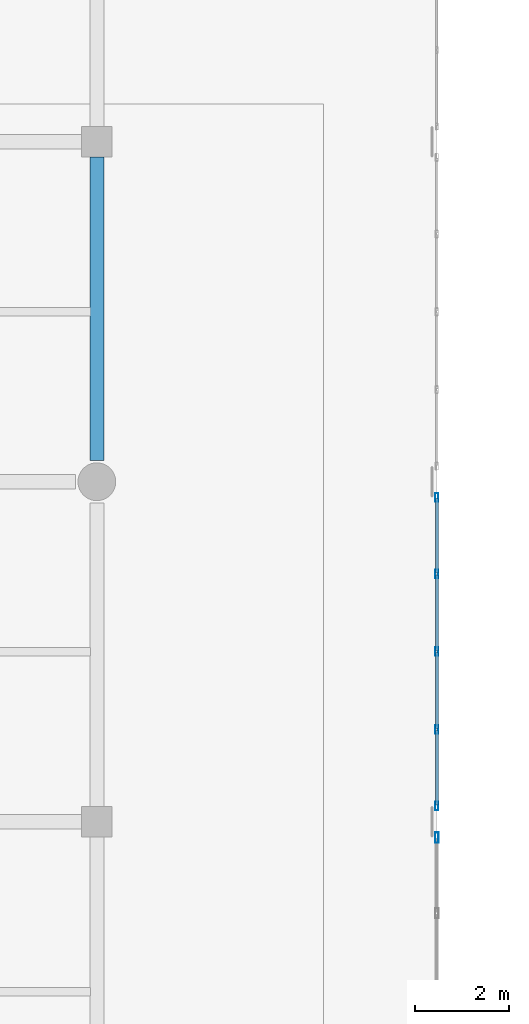
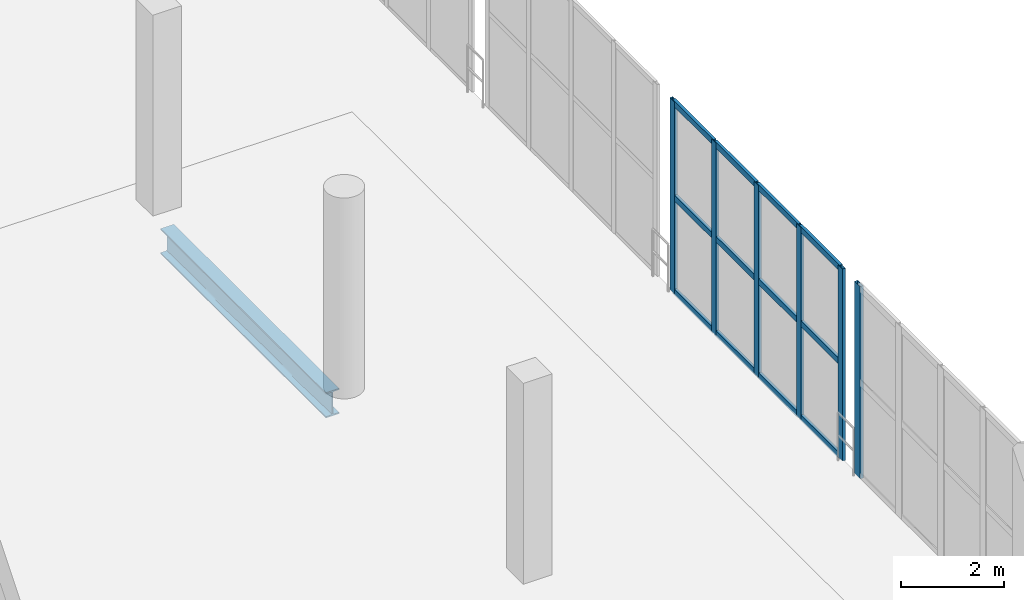
# One storey, part 47 of 105: 18 members, 1 beam, 2 elements without a shape of their own.
"""IFC4 building model written with IfcOpenShell, lengths in metres."""

import ifcopenshell
import ifcopenshell.guid

model = None  # the IFC model being written
_history = None  # IfcOwnerHistory: only IFC2X3 demands one
_inside = {}  # id of a spatial element -> (the spatial element, [elements in it])
_under = {}  # id of a project, library or spatial element -> (it, [spatial elements below it])
_declared = {}  # id of a project -> (the project, [libraries it declares])
_typed = {}  # id of a type object -> (the type object, [elements of that type])
_made_of = {}  # id of a material, layer set ... -> (it, [elements and type objects made of it])


def new_model(schema):
    """Start an empty IFC model of exactly this schema.

    Asked for "IFC4X3", IfcOpenShell would pick the latest addendum, in which some entities
    have other attributes; the version numbers below select the first issue.
    IFC2X3 requires an IfcOwnerHistory on every rooted entity: one is made here for all.
    """
    global model, _history
    if schema == "IFC4X3":
        model = ifcopenshell.file(schema_version=(4, 3, 0, 0))
    else:
        model = ifcopenshell.file(schema=schema)
    _inside.clear()
    _under.clear()
    _declared.clear()
    _typed.clear()
    _made_of.clear()
    _history = None
    if model.schema == "IFC2X3":
        org = make("IfcOrganization", Name="unknown")
        user = make(
            "IfcPersonAndOrganization",
            ThePerson=make("IfcPerson", FamilyName="unknown"),
            TheOrganization=org,
        )
        app = make(
            "IfcApplication",
            ApplicationDeveloper=org,
            Version="unknown",
            ApplicationFullName="unknown",
            ApplicationIdentifier="unknown",
        )
        _history = make(
            "IfcOwnerHistory",
            OwningUser=user,
            OwningApplication=app,
            ChangeAction="ADDED",
            CreationDate=0,
        )
    return model


def make(cls, **values):
    """One entity of the class cls with the attributes given. An attribute that is None is left unset."""
    return model.create_entity(
        cls, **{name: value for name, value in values.items() if value is not None}
    )


def rooted(cls, **values):
    """An entity with a GlobalId (a new one), such as an element, a storey or a relation."""
    return make(cls, GlobalId=ifcopenshell.guid.new(), OwnerHistory=_history, **values)


def si_unit(unit_type, name, prefix=None):
    """IfcSIUnit, for example si_unit("LENGTHUNIT", "METRE", prefix="MILLI")."""
    return make("IfcSIUnit", UnitType=unit_type, Prefix=prefix, Name=name)


def assignment(units):
    """IfcUnitAssignment: the units of a project."""
    return None if units is None else make("IfcUnitAssignment", Units=units)


def point(xyz):
    """IfcCartesianPoint."""
    return None if xyz is None else make("IfcCartesianPoint", Coordinates=xyz)


def direction(xyz):
    """IfcDirection."""
    return None if xyz is None else make("IfcDirection", DirectionRatios=xyz)


def frame(location, z_axis=None, x_axis=None):
    """IfcAxis2Placement3D, a coordinate frame: its origin and axes. An axis left out is left unset."""
    return make(
        "IfcAxis2Placement3D",
        Location=point(location),
        Axis=direction(z_axis),
        RefDirection=direction(x_axis),
    )


def frame_2d(location, x_axis=None):
    """IfcAxis2Placement2D, a coordinate frame in the plane: its origin and x axis."""
    return make(
        "IfcAxis2Placement2D", Location=point(location), RefDirection=direction(x_axis)
    )


def origin():
    """The frame at (0, 0, 0) with its axes left unset."""
    return frame((0.0, 0.0, 0.0))


def origin_2d():
    """The frame at (0, 0) in the plane with its x axis left unset."""
    return frame_2d((0.0, 0.0))


def place(relative_to, where):
    """IfcLocalPlacement: puts the frame where relative to a parent placement (None: the world)."""
    return make(
        "IfcLocalPlacement", PlacementRelTo=relative_to, RelativePlacement=where
    )


def context(
    kind, dimensions, precision=None, world=None, true_north=None, identifier=None
):
    """IfcGeometricRepresentationContext, for example the 3D "Model" context."""
    return make(
        "IfcGeometricRepresentationContext",
        ContextIdentifier=identifier,
        ContextType=kind,
        CoordinateSpaceDimension=dimensions,
        Precision=precision,
        WorldCoordinateSystem=world,
        TrueNorth=true_north,
    )


def subcontext(parent, identifier, kind, view, scale=None):
    """IfcGeometricRepresentationSubContext, for example "Body" below "Model"."""
    return make(
        "IfcGeometricRepresentationSubContext",
        ContextIdentifier=identifier,
        ContextType=kind,
        ParentContext=parent,
        TargetScale=scale,
        TargetView=view,
    )


def project(units=None, contexts=None):
    """IfcProject with its units and contexts."""
    return rooted(
        "IfcProject",
        Name="project",
        RepresentationContexts=contexts,
        UnitsInContext=assignment(units),
    )


def spatial(cls, under=None, at=None, **own):
    """A site, building, storey or space (cls), placed at a placement, below another one or the project."""
    s = rooted(cls, ObjectPlacement=at, **own)
    if under is not None:
        _under.setdefault(under.id(), (under, []))[1].append(s)
    return s


def profile(cls, at=None, kind="AREA", **sizes):
    """A parametric profile (cls). Its sizes go by their IFC names, for example OverallWidth=200.0."""
    return make(cls, ProfileType=kind, Position=at, **sizes)


def hollow_rectangle(**sizes):
    """IfcRectangleHollowProfileDef."""
    return profile("IfcRectangleHollowProfileDef", **sizes)


def i_section(**sizes):
    """IfcIShapeProfileDef."""
    return profile("IfcIShapeProfileDef", **sizes)


def extrude(swept, where, along, depth):
    """IfcExtrudedAreaSolid: the profile swept, set in the frame where, extruded along a direction by depth."""
    return make(
        "IfcExtrudedAreaSolid",
        SweptArea=swept,
        Position=where,
        ExtrudedDirection=direction(along),
        Depth=depth,
    )


def shape(context_of_items, identifier, shape_type, items):
    """IfcShapeRepresentation: the items that make up one representation, for example the "Body"."""
    return make(
        "IfcShapeRepresentation",
        ContextOfItems=context_of_items,
        RepresentationIdentifier=identifier,
        RepresentationType=shape_type,
        Items=items,
    )


def material(Name=None, Category=None):
    """IfcMaterial."""
    return make("IfcMaterial", Name=Name, Category=Category)


def material_profile(
    of_material, cross_section, Name=None, Category=None, Priority=None
):
    """IfcMaterialProfile: a cross section and its material."""
    return make(
        "IfcMaterialProfile",
        Name=Name,
        Material=of_material,
        Profile=cross_section,
        Priority=Priority,
        Category=Category,
    )


def profile_set(profiles, Name=None, composite=None):
    """IfcMaterialProfileSet."""
    return make(
        "IfcMaterialProfileSet",
        Name=Name,
        MaterialProfiles=profiles,
        CompositeProfile=composite,
    )


def made_of(thing, what):
    """Note that an element or type object is made of a material, layer set ...; save() writes the relation."""
    if what is not None:
        _made_of.setdefault(what.id(), (what, []))[1].append(thing)
    return thing


def type_object(cls, material=None, **own):
    """A type object (cls), such as IfcWallType, which elements share."""
    return made_of(rooted(cls, **own), material)


def element(
    cls,
    number,
    at=None,
    inside=None,
    cuts=None,
    type_object=None,
    material=None,
    context=None,
    identifier="Body",
    shape_type=None,
    held_by="IfcProductDefinitionShape",
    body=None,
    shapes=None,
    **own,
):
    """One element of the class cls, such as IfcWall. Its Tag is "e" and its number.

    at: its placement. inside: the storey or other place that contains it. cuts: it is an
    opening in that element (IfcRelVoidsElement). A single representation is given by context,
    identifier, shape_type and body (its items); several are given by shapes. held_by: the class
    of the entity that holds the representations. save() writes the other relations.
    """
    e = rooted(cls, Tag="e%d" % number, ObjectPlacement=at, **own)
    if body is not None:
        shapes = [shape(context, identifier, shape_type, body)]
    if shapes is not None:
        e.Representation = make(held_by, Representations=shapes)
    if inside is not None:
        _inside.setdefault(inside.id(), (inside, []))[1].append(e)
    if cuts is not None:
        rooted(
            "IfcRelVoidsElement", RelatingBuildingElement=cuts, RelatedOpeningElement=e
        )
    if type_object is not None:
        _typed.setdefault(type_object.id(), (type_object, []))[1].append(e)
    return made_of(e, material)


def aggregate(whole, parts):
    """IfcRelAggregates: a whole, such as a stair, and the parts it consists of."""
    return rooted("IfcRelAggregates", RelatingObject=whole, RelatedObjects=parts)


def save(model, path):
    """Write the relations noted so far, then the file.

    IfcRelAggregates (storeys below a building ...), IfcRelContainedInSpatialStructure (elements
    in a storey), IfcRelDefinesByType, IfcRelAssociatesMaterial and IfcRelDeclares: one each for
    every whole, place, type object, material and project.
    """
    for whole, parts in _under.values():
        aggregate(whole, parts)
    for where, things in _inside.values():
        rooted(
            "IfcRelContainedInSpatialStructure",
            RelatedElements=things,
            RelatingStructure=where,
        )
    for kind, things in _typed.values():
        rooted("IfcRelDefinesByType", RelatedObjects=things, RelatingType=kind)
    for what, things in _made_of.values():
        rooted("IfcRelAssociatesMaterial", RelatedObjects=things, RelatingMaterial=what)
    for by, libraries in _declared.values():
        rooted("IfcRelDeclares", RelatingContext=by, RelatedDefinitions=libraries)
    model.write(path)


model = new_model("IFC4")

# Units and contexts
model_context = context("Model", 3, precision=1e-05, world=origin(), true_north=direction((0.0, 1.0)))
body_context = subcontext(model_context, "Body", "Model", "MODEL_VIEW")
ifc_project = project(units=[si_unit("LENGTHUNIT", "METRE"), si_unit("AREAUNIT", "SQUARE_METRE"), si_unit("VOLUMEUNIT", "CUBIC_METRE"), si_unit("PLANEANGLEUNIT", "RADIAN"), si_unit("MASSUNIT", "GRAM", prefix="KILO")], contexts=[model_context])

# Site, building, storey
site_placement = place(None, origin())
site = spatial("IfcSite", under=ifc_project, at=site_placement, CompositionType="ELEMENT")
building_placement = place(site_placement, origin())
building = spatial("IfcBuilding", under=site, at=building_placement, Name="Qandorah Velis Arena", CompositionType="ELEMENT")
storey_placement = place(building_placement, frame((0.0, 0.0, 13.800048828125)))
storey = spatial("IfcBuildingStorey", under=building, at=storey_placement, Name="L03", CompositionType="ELEMENT", Elevation=13.800048828125)

# Curtain wall, members
ifc_material_1 = material(Name="Solar-control low-E double glazing", Category="glass")
curtain_wall_type_1 = type_object("IfcCurtainWallType", Name="ARC-CW-SYS18", PredefinedType="USERDEFINED", material=ifc_material_1)
curtain_wall_1_placement = place(storey_placement, origin())
curtain_wall_1 = element("IfcCurtainWall", 1, at=curtain_wall_1_placement, inside=storey, type_object=curtain_wall_type_1, Name="Unitised curtain wall L03-114", ObjectType="UNITISED CURTAIN WALL", PredefinedType="USERDEFINED")
ifc_material_2 = material(Name="Champagne-bronze anodized aluminium 6063-T6", Category="aluminium")
ifc_material_profile_1 = material_profile(ifc_material_2, hollow_rectangle(XDim=0.06494140625, YDim=0.179931640625, WallThickness=0.00341796875, at=origin_2d()), Name="ALU MULLION 65x180")
ifc_profile_set_1 = profile_set([ifc_material_profile_1], Name="Champagne-bronze anodized aluminium 6063-T6")
member_type_1 = type_object("IfcMemberType", Name="ARC-CWM-180", PredefinedType="MULLION", material=ifc_profile_set_1)
member_1_placement = place(storey_placement, frame((122.39990234375, 65.132568359375, -0.01513671875), z_axis=(0.0, 0.0, 1.0), x_axis=(-1.0, 0.0, 0.0)))
member_1 = element("IfcMember", 2, at=member_1_placement, type_object=member_type_1, Name="CW18 mullion 1", PredefinedType="MULLION", context=body_context, shape_type="SweptSolid", body=[
    extrude(hollow_rectangle(XDim=0.06494140625, YDim=0.179931640625, WallThickness=0.00341796875, at=origin_2d()), origin(), (0.0, 0.0, 1.0), 4.56005859375),
])
member_2_placement = place(storey_placement, frame((122.39990234375, 66.75, -0.01513671875), z_axis=(0.0, 0.0, 1.0), x_axis=(-1.0, 0.0, 0.0)))
member_2 = element("IfcMember", 3, at=member_2_placement, type_object=member_type_1, Name="CW18 mullion 2", PredefinedType="MULLION", context=body_context, shape_type="SweptSolid", body=[
    extrude(hollow_rectangle(XDim=0.06494140625, YDim=0.179931640625, WallThickness=0.00341796875, at=origin_2d()), origin(), (0.0, 0.0, 1.0), 4.56005859375),
])
member_3_placement = place(storey_placement, frame((122.39990234375, 68.39990234375, -0.01513671875), z_axis=(0.0, 0.0, 1.0), x_axis=(-1.0, 0.0, 0.0)))
member_3 = element("IfcMember", 4, at=member_3_placement, type_object=member_type_1, Name="CW18 mullion 3", PredefinedType="MULLION", context=body_context, shape_type="SweptSolid", body=[
    extrude(hollow_rectangle(XDim=0.06494140625, YDim=0.179931640625, WallThickness=0.00341796875, at=origin_2d()), origin(), (0.0, 0.0, 1.0), 4.56005859375),
])
member_4_placement = place(storey_placement, frame((122.39990234375, 70.050048828125, -0.01513671875), z_axis=(0.0, 0.0, 1.0), x_axis=(-1.0, 0.0, 0.0)))
member_4 = element("IfcMember", 5, at=member_4_placement, type_object=member_type_1, Name="CW18 mullion 4", PredefinedType="MULLION", context=body_context, shape_type="SweptSolid", body=[
    extrude(hollow_rectangle(XDim=0.06494140625, YDim=0.179931640625, WallThickness=0.00341796875, at=origin_2d()), origin(), (0.0, 0.0, 1.0), 4.56005859375),
])
member_5_placement = place(storey_placement, frame((122.39990234375, 71.66748046875, -0.01513671875), z_axis=(0.0, 0.0, 1.0), x_axis=(-1.0, 0.0, 0.0)))
member_5 = element("IfcMember", 6, at=member_5_placement, type_object=member_type_1, Name="CW18 mullion 5", PredefinedType="MULLION", context=body_context, shape_type="SweptSolid", body=[
    extrude(hollow_rectangle(XDim=0.06494140625, YDim=0.179931640625, WallThickness=0.00341796875, at=origin_2d()), origin(), (0.0, 0.0, 1.0), 4.56005859375),
])

# Curtain wall, member
curtain_wall_type_2 = type_object("IfcCurtainWallType", Name="ARC-CW-SYS17", PredefinedType="USERDEFINED", material=ifc_material_1)
curtain_wall_2_placement = place(storey_placement, origin())
curtain_wall_2 = element("IfcCurtainWall", 7, at=curtain_wall_2_placement, inside=storey, type_object=curtain_wall_type_2, Name="Unitised curtain wall L03-113", ObjectType="UNITISED CURTAIN WALL", PredefinedType="USERDEFINED")
ifc_material_profile_2 = material_profile(ifc_material_2, hollow_rectangle(XDim=0.074951171875, YDim=0.219970703125, WallThickness=0.00390625, at=origin_2d()), Name="ALU MULLION 75x220")
ifc_profile_set_2 = profile_set([ifc_material_profile_2], Name="Champagne-bronze anodized aluminium 6063-T6")
member_type_2 = type_object("IfcMemberType", Name="ARC-CWM-220", PredefinedType="MULLION", material=ifc_profile_set_2)
member_6_placement = place(storey_placement, frame((122.39990234375, 64.46240234375, -0.01513671875), z_axis=(0.0, 0.0, 1.0), x_axis=(-1.0, 0.0, 0.0)))
member_6 = element("IfcMember", 8, at=member_6_placement, type_object=member_type_2, Name="CW17 mullion 5", PredefinedType="MULLION", context=body_context, shape_type="SweptSolid", body=[
    extrude(hollow_rectangle(XDim=0.074951171875, YDim=0.219970703125, WallThickness=0.00390625, at=origin_2d()), origin(), (0.0, 0.0, 1.0), 4.56005859375),
])
aggregate(curtain_wall_2, [member_6])

# Member
ifc_material_profile_3 = material_profile(ifc_material_2, hollow_rectangle(XDim=0.06494140625, YDim=0.139892578125, WallThickness=0.0029296875, at=origin_2d()), Name="ALU TRANSOM 65x140")
ifc_profile_set_3 = profile_set([ifc_material_profile_3], Name="Champagne-bronze anodized aluminium 6063-T6")
member_type_3 = type_object("IfcMemberType", Name="ARC-CWT-140", PredefinedType="USERDEFINED", material=ifc_profile_set_3)
member_7_placement = place(storey_placement, frame((122.39990234375, 65.153076171875, 0.032470703125), z_axis=(0.0, 1.0, 0.0), x_axis=(-1.0, 0.0, 0.0)))
member_7 = element("IfcMember", 9, at=member_7_placement, type_object=member_type_3, Name="CW18 transom 1.1", ObjectType="TRANSOM", PredefinedType="USERDEFINED", context=body_context, shape_type="SweptSolid", body=[
    extrude(hollow_rectangle(XDim=0.06494140625, YDim=0.139892578125, WallThickness=0.0029296875, at=origin_2d()), origin(), (0.0, 0.0, 1.0), 1.576416015625),
])

member_8_placement = place(storey_placement, frame((122.39990234375, 65.153076171875, 2.264892578125), z_axis=(0.0, 1.0, 0.0), x_axis=(-1.0, 0.0, 0.0)))
member_8 = element("IfcMember", 10, at=member_8_placement, type_object=member_type_3, Name="CW18 transom 1.2", ObjectType="TRANSOM", PredefinedType="USERDEFINED", context=body_context, shape_type="SweptSolid", body=[
    extrude(hollow_rectangle(XDim=0.06494140625, YDim=0.139892578125, WallThickness=0.0029296875, at=origin_2d()), origin(), (0.0, 0.0, 1.0), 1.576416015625),
])

member_9_placement = place(storey_placement, frame((122.39990234375, 65.153076171875, 4.49755859375), z_axis=(0.0, 1.0, 0.0), x_axis=(-1.0, 0.0, 0.0)))
member_9 = element("IfcMember", 11, at=member_9_placement, type_object=member_type_3, Name="CW18 transom 1.3", ObjectType="TRANSOM", PredefinedType="USERDEFINED", context=body_context, shape_type="SweptSolid", body=[
    extrude(hollow_rectangle(XDim=0.06494140625, YDim=0.139892578125, WallThickness=0.0029296875, at=origin_2d()), origin(), (0.0, 0.0, 1.0), 1.576416015625),
])

member_10_placement = place(storey_placement, frame((122.39990234375, 66.7705078125, 0.032470703125), z_axis=(0.0, 1.0, 0.0), x_axis=(-1.0, 0.0, 0.0)))
member_10 = element("IfcMember", 12, at=member_10_placement, type_object=member_type_3, Name="CW18 transom 2.1", ObjectType="TRANSOM", PredefinedType="USERDEFINED", context=body_context, shape_type="SweptSolid", body=[
    extrude(hollow_rectangle(XDim=0.06494140625, YDim=0.139892578125, WallThickness=0.0029296875, at=origin_2d()), origin(), (0.0, 0.0, 1.0), 1.60888671875),
])

member_11_placement = place(storey_placement, frame((122.39990234375, 66.7705078125, 2.264892578125), z_axis=(0.0, 1.0, 0.0), x_axis=(-1.0, 0.0, 0.0)))
member_11 = element("IfcMember", 13, at=member_11_placement, type_object=member_type_3, Name="CW18 transom 2.2", ObjectType="TRANSOM", PredefinedType="USERDEFINED", context=body_context, shape_type="SweptSolid", body=[
    extrude(hollow_rectangle(XDim=0.06494140625, YDim=0.139892578125, WallThickness=0.0029296875, at=origin_2d()), origin(), (0.0, 0.0, 1.0), 1.60888671875),
])

member_12_placement = place(storey_placement, frame((122.39990234375, 66.7705078125, 4.49755859375), z_axis=(0.0, 1.0, 0.0), x_axis=(-1.0, 0.0, 0.0)))
member_12 = element("IfcMember", 14, at=member_12_placement, type_object=member_type_3, Name="CW18 transom 2.3", ObjectType="TRANSOM", PredefinedType="USERDEFINED", context=body_context, shape_type="SweptSolid", body=[
    extrude(hollow_rectangle(XDim=0.06494140625, YDim=0.139892578125, WallThickness=0.0029296875, at=origin_2d()), origin(), (0.0, 0.0, 1.0), 1.60888671875),
])

member_13_placement = place(storey_placement, frame((122.39990234375, 68.42041015625, 0.032470703125), z_axis=(0.0, 1.0, 0.0), x_axis=(-1.0, 0.0, 0.0)))
member_13 = element("IfcMember", 15, at=member_13_placement, type_object=member_type_3, Name="CW18 transom 3.1", ObjectType="TRANSOM", PredefinedType="USERDEFINED", context=body_context, shape_type="SweptSolid", body=[
    extrude(hollow_rectangle(XDim=0.06494140625, YDim=0.139892578125, WallThickness=0.0029296875, at=origin_2d()), origin(), (0.0, 0.0, 1.0), 1.609130859375),
])

member_14_placement = place(storey_placement, frame((122.39990234375, 68.42041015625, 2.264892578125), z_axis=(0.0, 1.0, 0.0), x_axis=(-1.0, 0.0, 0.0)))
member_14 = element("IfcMember", 16, at=member_14_placement, type_object=member_type_3, Name="CW18 transom 3.2", ObjectType="TRANSOM", PredefinedType="USERDEFINED", context=body_context, shape_type="SweptSolid", body=[
    extrude(hollow_rectangle(XDim=0.06494140625, YDim=0.139892578125, WallThickness=0.0029296875, at=origin_2d()), origin(), (0.0, 0.0, 1.0), 1.609130859375),
])

member_15_placement = place(storey_placement, frame((122.39990234375, 68.42041015625, 4.49755859375), z_axis=(0.0, 1.0, 0.0), x_axis=(-1.0, 0.0, 0.0)))
member_15 = element("IfcMember", 17, at=member_15_placement, type_object=member_type_3, Name="CW18 transom 3.3", ObjectType="TRANSOM", PredefinedType="USERDEFINED", context=body_context, shape_type="SweptSolid", body=[
    extrude(hollow_rectangle(XDim=0.06494140625, YDim=0.139892578125, WallThickness=0.0029296875, at=origin_2d()), origin(), (0.0, 0.0, 1.0), 1.609130859375),
])

member_16_placement = place(storey_placement, frame((122.39990234375, 70.070556640625, 0.032470703125), z_axis=(0.0, 1.0, 0.0), x_axis=(-1.0, 0.0, 0.0)))
member_16 = element("IfcMember", 18, at=member_16_placement, type_object=member_type_3, Name="CW18 transom 4.1", ObjectType="TRANSOM", PredefinedType="USERDEFINED", context=body_context, shape_type="SweptSolid", body=[
    extrude(hollow_rectangle(XDim=0.06494140625, YDim=0.139892578125, WallThickness=0.0029296875, at=origin_2d()), origin(), (0.0, 0.0, 1.0), 1.576416015625),
])

member_17_placement = place(storey_placement, frame((122.39990234375, 70.070556640625, 2.264892578125), z_axis=(0.0, 1.0, 0.0), x_axis=(-1.0, 0.0, 0.0)))
member_17 = element("IfcMember", 19, at=member_17_placement, type_object=member_type_3, Name="CW18 transom 4.2", ObjectType="TRANSOM", PredefinedType="USERDEFINED", context=body_context, shape_type="SweptSolid", body=[
    extrude(hollow_rectangle(XDim=0.06494140625, YDim=0.139892578125, WallThickness=0.0029296875, at=origin_2d()), origin(), (0.0, 0.0, 1.0), 1.576416015625),
])

member_18_placement = place(storey_placement, frame((122.39990234375, 70.070556640625, 4.49755859375), z_axis=(0.0, 1.0, 0.0), x_axis=(-1.0, 0.0, 0.0)))
member_18 = element("IfcMember", 20, at=member_18_placement, type_object=member_type_3, Name="CW18 transom 4.3", ObjectType="TRANSOM", PredefinedType="USERDEFINED", context=body_context, shape_type="SweptSolid", body=[
    extrude(hollow_rectangle(XDim=0.06494140625, YDim=0.139892578125, WallThickness=0.0029296875, at=origin_2d()), origin(), (0.0, 0.0, 1.0), 1.576416015625),
])

aggregate(curtain_wall_1, [member_1, member_2, member_3, member_4, member_5, member_7, member_8, member_9, member_10, member_11, member_12, member_13, member_14, member_15, member_16, member_17, member_18])

# Beam
ifc_material_3 = material(Name="Steel S355", Category="steel")
ifc_material_profile_4 = material_profile(ifc_material_3, i_section(OverallWidth=0.300048828125, OverallDepth=0.60009765625, WebThickness=0.015380859375, FlangeThickness=0.030029296875, FilletRadius=0.027099609375, at=origin_2d()), Name="HEB 600")
ifc_profile_set_4 = profile_set([ifc_material_profile_4], Name="Steel S355")
beam_type = type_object("IfcBeamType", Name="STR-BM-HEB600", PredefinedType="BEAM", material=ifc_profile_set_4)
beam_placement = place(storey_placement, frame((115.199951171875, 72.449951171875, -0.6201171875), z_axis=(0.0, 1.0, 0.0), x_axis=(-1.0, 0.0, 0.0)))
element("IfcBeam", 21, at=beam_placement, inside=storey, type_object=beam_type, Name="Primary floor girder L03 Y-308", PredefinedType="BEAM", context=body_context, shape_type="SweptSolid", body=[
    extrude(i_section(OverallWidth=0.300048828125, OverallDepth=0.60009765625, WebThickness=0.015380859375, FlangeThickness=0.030029296875, FilletRadius=0.027099609375, at=origin_2d()), origin(), (0.0, 0.0, 1.0), 6.425048828125),
])

save(model, "model.ifc")
